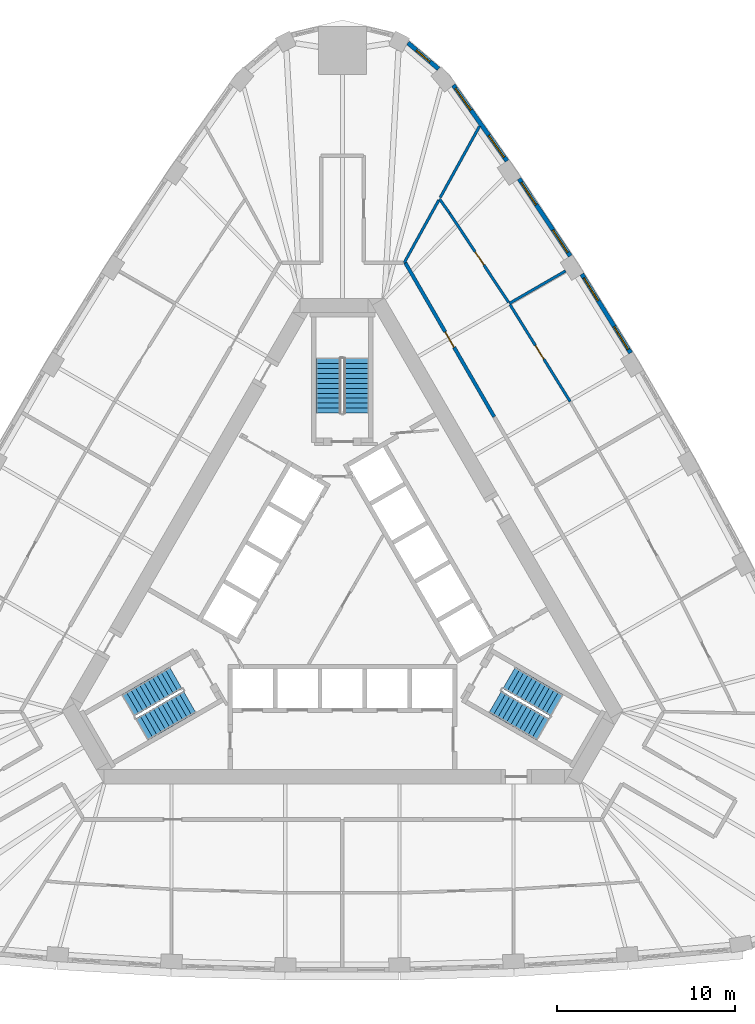
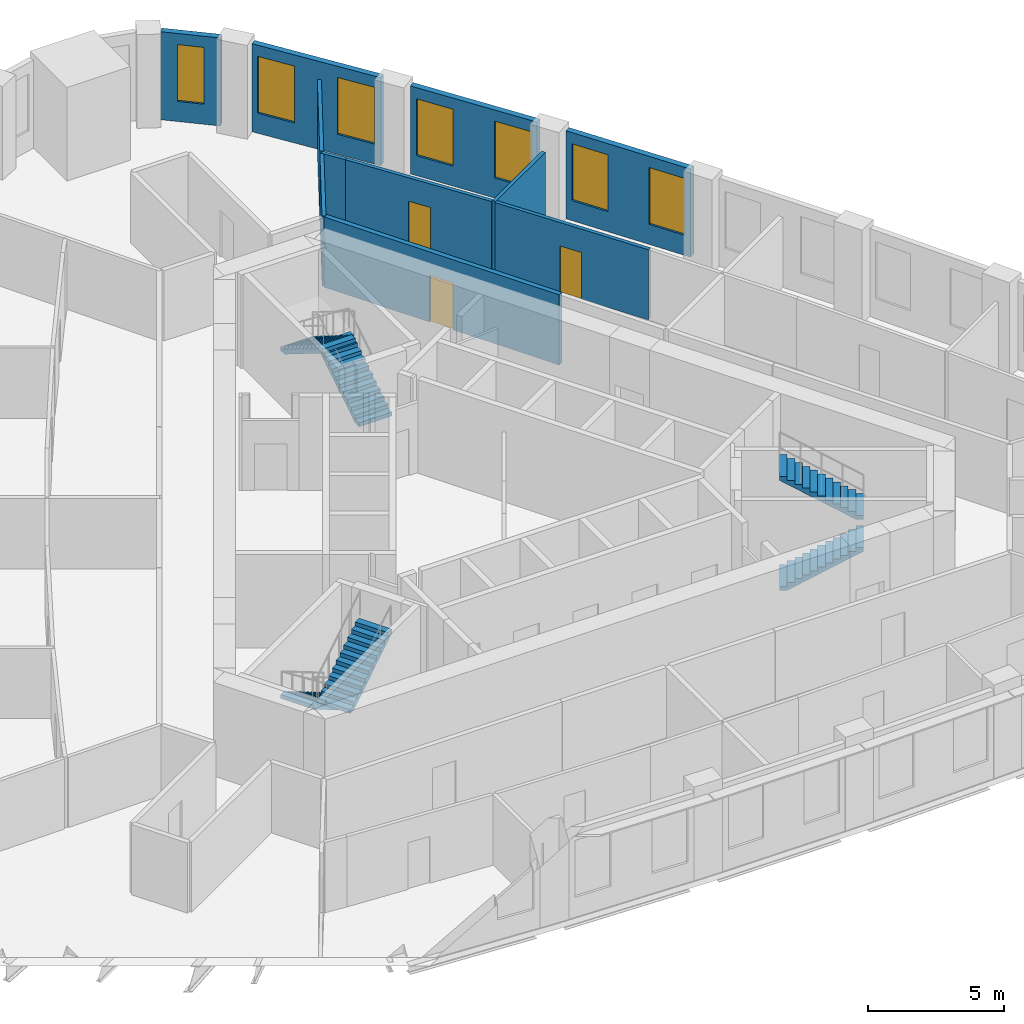
# One storey, part 9 of 10: 11 walls, 7 windows, 6 stair flights, 3 doors, 10 openings, 3 elements without a shape of their own.
"""IFC4 building model written with IfcOpenShell, lengths in metres."""

import ifcopenshell
import ifcopenshell.guid

model = None  # the IFC model being written
_history = None  # IfcOwnerHistory: only IFC2X3 demands one
_inside = {}  # id of a spatial element -> (the spatial element, [elements in it])
_under = {}  # id of a project, library or spatial element -> (it, [spatial elements below it])
_declared = {}  # id of a project -> (the project, [libraries it declares])
_typed = {}  # id of a type object -> (the type object, [elements of that type])
_made_of = {}  # id of a material, layer set ... -> (it, [elements and type objects made of it])


def new_model(schema):
    """Start an empty IFC model of exactly this schema.

    Asked for "IFC4X3", IfcOpenShell would pick the latest addendum, in which some entities
    have other attributes; the version numbers below select the first issue.
    IFC2X3 requires an IfcOwnerHistory on every rooted entity: one is made here for all.
    """
    global model, _history
    if schema == "IFC4X3":
        model = ifcopenshell.file(schema_version=(4, 3, 0, 0))
    else:
        model = ifcopenshell.file(schema=schema)
    _inside.clear()
    _under.clear()
    _declared.clear()
    _typed.clear()
    _made_of.clear()
    _history = None
    if model.schema == "IFC2X3":
        org = make("IfcOrganization", Name="unknown")
        user = make(
            "IfcPersonAndOrganization",
            ThePerson=make("IfcPerson", FamilyName="unknown"),
            TheOrganization=org,
        )
        app = make(
            "IfcApplication",
            ApplicationDeveloper=org,
            Version="unknown",
            ApplicationFullName="unknown",
            ApplicationIdentifier="unknown",
        )
        _history = make(
            "IfcOwnerHistory",
            OwningUser=user,
            OwningApplication=app,
            ChangeAction="ADDED",
            CreationDate=0,
        )
    return model


def make(cls, **values):
    """One entity of the class cls with the attributes given. An attribute that is None is left unset."""
    return model.create_entity(
        cls, **{name: value for name, value in values.items() if value is not None}
    )


def rooted(cls, **values):
    """An entity with a GlobalId (a new one), such as an element, a storey or a relation."""
    return make(cls, GlobalId=ifcopenshell.guid.new(), OwnerHistory=_history, **values)


def si_unit(unit_type, name, prefix=None):
    """IfcSIUnit, for example si_unit("LENGTHUNIT", "METRE", prefix="MILLI")."""
    return make("IfcSIUnit", UnitType=unit_type, Prefix=prefix, Name=name)


def assignment(units):
    """IfcUnitAssignment: the units of a project."""
    return None if units is None else make("IfcUnitAssignment", Units=units)


def point(xyz):
    """IfcCartesianPoint."""
    return None if xyz is None else make("IfcCartesianPoint", Coordinates=xyz)


def direction(xyz):
    """IfcDirection."""
    return None if xyz is None else make("IfcDirection", DirectionRatios=xyz)


def frame(location, z_axis=None, x_axis=None):
    """IfcAxis2Placement3D, a coordinate frame: its origin and axes. An axis left out is left unset."""
    return make(
        "IfcAxis2Placement3D",
        Location=point(location),
        Axis=direction(z_axis),
        RefDirection=direction(x_axis),
    )


def frame_2d(location, x_axis=None):
    """IfcAxis2Placement2D, a coordinate frame in the plane: its origin and x axis."""
    return make(
        "IfcAxis2Placement2D", Location=point(location), RefDirection=direction(x_axis)
    )


def origin():
    """The frame at (0, 0, 0) with its axes left unset."""
    return frame((0.0, 0.0, 0.0))


def place(relative_to, where):
    """IfcLocalPlacement: puts the frame where relative to a parent placement (None: the world)."""
    return make(
        "IfcLocalPlacement", PlacementRelTo=relative_to, RelativePlacement=where
    )


def context(
    kind, dimensions, precision=None, world=None, true_north=None, identifier=None
):
    """IfcGeometricRepresentationContext, for example the 3D "Model" context."""
    return make(
        "IfcGeometricRepresentationContext",
        ContextIdentifier=identifier,
        ContextType=kind,
        CoordinateSpaceDimension=dimensions,
        Precision=precision,
        WorldCoordinateSystem=world,
        TrueNorth=true_north,
    )


def subcontext(parent, identifier, kind, view, scale=None):
    """IfcGeometricRepresentationSubContext, for example "Body" below "Model"."""
    return make(
        "IfcGeometricRepresentationSubContext",
        ContextIdentifier=identifier,
        ContextType=kind,
        ParentContext=parent,
        TargetScale=scale,
        TargetView=view,
    )


def project(units=None, contexts=None):
    """IfcProject with its units and contexts."""
    return rooted(
        "IfcProject",
        Name="project",
        RepresentationContexts=contexts,
        UnitsInContext=assignment(units),
    )


def spatial(cls, under=None, at=None, **own):
    """A site, building, storey or space (cls), placed at a placement, below another one or the project."""
    s = rooted(cls, ObjectPlacement=at, **own)
    if under is not None:
        _under.setdefault(under.id(), (under, []))[1].append(s)
    return s


def polyline(points):
    """IfcPolyline through the points."""
    return make("IfcPolyline", Points=[point(p) for p in points])


def profile(cls, at=None, kind="AREA", **sizes):
    """A parametric profile (cls). Its sizes go by their IFC names, for example OverallWidth=200.0."""
    return make(cls, ProfileType=kind, Position=at, **sizes)


def rectangle(**sizes):
    """IfcRectangleProfileDef."""
    return profile("IfcRectangleProfileDef", **sizes)


def outline(outer, holes=None, kind="AREA"):
    """IfcArbitraryClosedProfileDef: a profile drawn as a closed curve; with holes, ...WithVoids."""
    if holes is None:
        return make("IfcArbitraryClosedProfileDef", ProfileType=kind, OuterCurve=outer)
    return make(
        "IfcArbitraryProfileDefWithVoids",
        ProfileType=kind,
        OuterCurve=outer,
        InnerCurves=holes,
    )


def extrude(swept, where, along, depth):
    """IfcExtrudedAreaSolid: the profile swept, set in the frame where, extruded along a direction by depth."""
    return make(
        "IfcExtrudedAreaSolid",
        SweptArea=swept,
        Position=where,
        ExtrudedDirection=direction(along),
        Depth=depth,
    )


def shape(context_of_items, identifier, shape_type, items):
    """IfcShapeRepresentation: the items that make up one representation, for example the "Body"."""
    return make(
        "IfcShapeRepresentation",
        ContextOfItems=context_of_items,
        RepresentationIdentifier=identifier,
        RepresentationType=shape_type,
        Items=items,
    )


def material(Name=None, Category=None):
    """IfcMaterial."""
    return make("IfcMaterial", Name=Name, Category=Category)


def layer(
    of_material, thickness, ventilated=None, Name=None, Category=None, Priority=None
):
    """IfcMaterialLayer: one layer of a wall or slab, of a material (None: an air gap)."""
    return make(
        "IfcMaterialLayer",
        Material=of_material,
        LayerThickness=thickness,
        IsVentilated=ventilated,
        Name=Name,
        Category=Category,
        Priority=Priority,
    )


def layer_set(layers, Name=None):
    """IfcMaterialLayerSet."""
    return make("IfcMaterialLayerSet", MaterialLayers=layers, LayerSetName=Name)


def made_of(thing, what):
    """Note that an element or type object is made of a material, layer set ...; save() writes the relation."""
    if what is not None:
        _made_of.setdefault(what.id(), (what, []))[1].append(thing)
    return thing


def type_object(cls, material=None, **own):
    """A type object (cls), such as IfcWallType, which elements share."""
    return made_of(rooted(cls, **own), material)


def element(
    cls,
    number,
    at=None,
    inside=None,
    cuts=None,
    type_object=None,
    material=None,
    context=None,
    identifier="Body",
    shape_type=None,
    held_by="IfcProductDefinitionShape",
    body=None,
    shapes=None,
    **own,
):
    """One element of the class cls, such as IfcWall. Its Tag is "e" and its number.

    at: its placement. inside: the storey or other place that contains it. cuts: it is an
    opening in that element (IfcRelVoidsElement). A single representation is given by context,
    identifier, shape_type and body (its items); several are given by shapes. held_by: the class
    of the entity that holds the representations. save() writes the other relations.
    """
    e = rooted(cls, Tag="e%d" % number, ObjectPlacement=at, **own)
    if body is not None:
        shapes = [shape(context, identifier, shape_type, body)]
    if shapes is not None:
        e.Representation = make(held_by, Representations=shapes)
    if inside is not None:
        _inside.setdefault(inside.id(), (inside, []))[1].append(e)
    if cuts is not None:
        rooted(
            "IfcRelVoidsElement", RelatingBuildingElement=cuts, RelatedOpeningElement=e
        )
    if type_object is not None:
        _typed.setdefault(type_object.id(), (type_object, []))[1].append(e)
    return made_of(e, material)


def fill(opening, filler):
    """IfcRelFillsElement: the door or window that sits in an opening."""
    return rooted(
        "IfcRelFillsElement",
        RelatingOpeningElement=opening,
        RelatedBuildingElement=filler,
    )


def aggregate(whole, parts):
    """IfcRelAggregates: a whole, such as a stair, and the parts it consists of."""
    return rooted("IfcRelAggregates", RelatingObject=whole, RelatedObjects=parts)


def save(model, path):
    """Write the relations noted so far, then the file.

    IfcRelAggregates (storeys below a building ...), IfcRelContainedInSpatialStructure (elements
    in a storey), IfcRelDefinesByType, IfcRelAssociatesMaterial and IfcRelDeclares: one each for
    every whole, place, type object, material and project.
    """
    for whole, parts in _under.values():
        aggregate(whole, parts)
    for where, things in _inside.values():
        rooted(
            "IfcRelContainedInSpatialStructure",
            RelatedElements=things,
            RelatingStructure=where,
        )
    for kind, things in _typed.values():
        rooted("IfcRelDefinesByType", RelatedObjects=things, RelatingType=kind)
    for what, things in _made_of.values():
        rooted("IfcRelAssociatesMaterial", RelatedObjects=things, RelatingMaterial=what)
    for by, libraries in _declared.values():
        rooted("IfcRelDeclares", RelatingContext=by, RelatedDefinitions=libraries)
    model.write(path)


model = new_model("IFC4")

# Units and contexts
model_context = context("Model", 3, precision=1e-05, world=origin(), true_north=direction((0.0, 1.0)))
body_context = subcontext(model_context, "Body", "Model", "MODEL_VIEW")
ifc_project = project(units=[si_unit("LENGTHUNIT", "METRE"), si_unit("AREAUNIT", "SQUARE_METRE"), si_unit("VOLUMEUNIT", "CUBIC_METRE"), si_unit("PLANEANGLEUNIT", "RADIAN"), si_unit("MASSUNIT", "GRAM", prefix="KILO")], contexts=[model_context])

# Site, building, storey
site_placement = place(None, origin())
site = spatial("IfcSite", under=ifc_project, at=site_placement, CompositionType="ELEMENT")
building_placement = place(site_placement, origin())
building = spatial("IfcBuilding", under=site, at=building_placement, Name="Mestral Congress Tower", CompositionType="ELEMENT")
storey_placement = place(building_placement, frame((0.0, 0.0, 158.39990234375)))
storey = spatial("IfcBuildingStorey", under=building, at=storey_placement, Name="L37", CompositionType="ELEMENT", Elevation=158.39990234375)

# Wall, openings, windows
ifc_material_1 = material(Name="Precast concrete C40/50 with limestone facing", Category="masonry")
ifc_layer_1 = layer(ifc_material_1, 0.239990234375)
ifc_layer_set_1 = layer_set([ifc_layer_1], Name="Precast concrete C40/50 with limestone facing")
wall_type_1 = type_object("IfcWallType", Name="Facade stone wall 240", PredefinedType="SOLIDWALL", material=ifc_layer_set_1)
wall_1_placement = place(storey_placement, frame((16.170654296875, 13.731201171875, 0.0), z_axis=(0.0, 0.0, 1.0), x_axis=(-0.526197926587, 0.850362124072, 0.0)))
wall_1 = element("IfcWall", 1, at=wall_1_placement, inside=storey, type_object=wall_type_1, Name="Facade wall F1-04", PredefinedType="SOLIDWALL", context=body_context, shape_type="SweptSolid", body=[
    extrude(rectangle(XDim=5.203369140625, YDim=0.239990234375, at=frame_2d((2.6015625, 0.0))), origin(), (0.0, 0.0, 1.0), 3.9501953125),
])
opening_1_placement = place(wall_1_placement, frame((0.248291015625, 0.0, 0.89990234375)))
opening_1 = element("IfcOpeningElement", 2, at=opening_1_placement, cuts=wall_1, Name="Opening W4", PredefinedType="OPENING", context=body_context, shape_type="SweptSolid", body=[
    extrude(rectangle(XDim=1.5, YDim=2.550048828125, at=frame_2d((0.75, 1.27490234375))), frame((0.0, 0.1298828125, 0.0), z_axis=(0.0, -1.0, 0.0), x_axis=(1.0, 0.0, 0.0)), (0.0, 0.0, 1.0), 0.260009765625),
])
opening_2_placement = place(wall_1_placement, frame((3.455078125, 0.0, 0.89990234375)))
opening_2 = element("IfcOpeningElement", 3, at=opening_2_placement, cuts=wall_1, Name="Opening W4", PredefinedType="OPENING", context=body_context, shape_type="SweptSolid", body=[
    extrude(rectangle(XDim=1.5, YDim=2.550048828125, at=frame_2d((0.75, 1.27490234375))), frame((0.0, 0.1298828125, 0.0), z_axis=(0.0, -1.0, 0.0), x_axis=(1.0, 0.0, 0.0)), (0.0, 0.0, 1.0), 0.260009765625),
])
ifc_material_2 = material(Name="Clear low-emissivity double glazing", Category="glass")
window_type_1 = type_object("IfcWindowType", Name="Facade punched window 1500 x 2550 sill 900", PartitioningType="SINGLE_PANEL", PredefinedType="WINDOW", material=ifc_material_2)
window_1_placement = place(opening_1_placement, origin())
window_1 = element("IfcWindow", 4, at=window_1_placement, inside=storey, type_object=window_type_1, Name="Window F1-04a", OverallHeight=2.550048828125, OverallWidth=1.5, PartitioningType="SINGLE_PANEL", PredefinedType="WINDOW", context=body_context, shape_type="SweptSolid", body=[
    extrude(rectangle(XDim=1.5, YDim=2.550048828125, at=frame_2d((0.75, 1.27490234375))), frame((0.0, 0.0400390625, 0.0), z_axis=(0.0, -1.0, 0.0), x_axis=(1.0, 0.0, 0.0)), (0.0, 0.0, 1.0), 0.06005859375),
])
fill(opening_1, window_1)
window_2_placement = place(opening_2_placement, origin())
window_2 = element("IfcWindow", 5, at=window_2_placement, inside=storey, type_object=window_type_1, Name="Window F1-04b", OverallHeight=2.550048828125, OverallWidth=1.5, PartitioningType="SINGLE_PANEL", PredefinedType="WINDOW", context=body_context, shape_type="SweptSolid", body=[
    extrude(rectangle(XDim=1.5, YDim=2.550048828125, at=frame_2d((0.75, 1.27490234375))), frame((0.0, 0.0400390625, 0.0), z_axis=(0.0, -1.0, 0.0), x_axis=(1.0, 0.0, 0.0)), (0.0, 0.0, 1.0), 0.06005859375),
])
fill(opening_2, window_2)

wall_2_placement = place(storey_placement, frame((12.783203125, 19.170654296875, 0.0), z_axis=(0.0, 0.0, 1.0), x_axis=(-0.551892811511, 0.833915058386, 0.0)))
wall_2 = element("IfcWall", 6, at=wall_2_placement, inside=storey, type_object=wall_type_1, Name="Facade wall F1-05", PredefinedType="SOLIDWALL", context=body_context, shape_type="SweptSolid", body=[
    extrude(rectangle(XDim=5.20361328125, YDim=0.239990234375, at=frame_2d((2.601806640625, 0.0))), origin(), (0.0, 0.0, 1.0), 3.9501953125),
])
opening_3_placement = place(wall_2_placement, frame((0.248291015625, 0.0, 0.89990234375)))
opening_3 = element("IfcOpeningElement", 7, at=opening_3_placement, cuts=wall_2, Name="Opening W4", PredefinedType="OPENING", context=body_context, shape_type="SweptSolid", body=[
    extrude(rectangle(XDim=1.5, YDim=2.550048828125, at=frame_2d((0.75, 1.27490234375))), frame((0.0, 0.1298828125, 0.0), z_axis=(0.0, -1.0, 0.0), x_axis=(1.0, 0.0, 0.0)), (0.0, 0.0, 1.0), 0.260009765625),
])
opening_4_placement = place(wall_2_placement, frame((3.455078125, 0.0, 0.89990234375)))
opening_4 = element("IfcOpeningElement", 8, at=opening_4_placement, cuts=wall_2, Name="Opening W4", PredefinedType="OPENING", context=body_context, shape_type="SweptSolid", body=[
    extrude(rectangle(XDim=1.5, YDim=2.550048828125, at=frame_2d((0.75, 1.27490234375))), frame((0.0, 0.1298828125, 0.0), z_axis=(0.0, -1.0, 0.0), x_axis=(1.0, 0.0, 0.0)), (0.0, 0.0, 1.0), 0.260009765625),
])
window_3_placement = place(opening_3_placement, origin())
window_3 = element("IfcWindow", 9, at=window_3_placement, inside=storey, type_object=window_type_1, Name="Window F1-05a", OverallHeight=2.550048828125, OverallWidth=1.5, PartitioningType="SINGLE_PANEL", PredefinedType="WINDOW", context=body_context, shape_type="SweptSolid", body=[
    extrude(rectangle(XDim=1.5, YDim=2.550048828125, at=frame_2d((0.75, 1.27490234375))), frame((0.0, 0.0400390625, 0.0), z_axis=(0.0, -1.0, 0.0), x_axis=(1.0, 0.0, 0.0)), (0.0, 0.0, 1.0), 0.06005859375),
])
fill(opening_3, window_3)
window_4_placement = place(opening_4_placement, origin())
window_4 = element("IfcWindow", 10, at=window_4_placement, inside=storey, type_object=window_type_1, Name="Window F1-05b", OverallHeight=2.550048828125, OverallWidth=1.5, PartitioningType="SINGLE_PANEL", PredefinedType="WINDOW", context=body_context, shape_type="SweptSolid", body=[
    extrude(rectangle(XDim=1.5, YDim=2.550048828125, at=frame_2d((0.75, 1.27490234375))), frame((0.0, 0.0400390625, 0.0), z_axis=(0.0, -1.0, 0.0), x_axis=(1.0, 0.0, 0.0)), (0.0, 0.0, 1.0), 0.06005859375),
])
fill(opening_4, window_4)

wall_3_placement = place(storey_placement, frame((9.231201171875, 24.50439453125, 0.0), z_axis=(0.0, 0.0, 1.0), x_axis=(-0.577115207679, 0.816662743772, 0.0)))
wall_3 = element("IfcWall", 11, at=wall_3_placement, inside=storey, type_object=wall_type_1, Name="Facade wall F1-06", PredefinedType="SOLIDWALL", context=body_context, shape_type="SweptSolid", body=[
    extrude(rectangle(XDim=5.213134765625, YDim=0.239990234375, at=frame_2d((2.6064453125, 0.0))), origin(), (0.0, 0.0, 1.0), 3.9501953125),
])
opening_5_placement = place(wall_3_placement, frame((0.2607421875, 0.0, 0.89990234375)))
opening_5 = element("IfcOpeningElement", 12, at=opening_5_placement, cuts=wall_3, Name="Opening W4", PredefinedType="OPENING", context=body_context, shape_type="SweptSolid", body=[
    extrude(rectangle(XDim=1.5, YDim=2.550048828125, at=frame_2d((0.75, 1.27490234375))), frame((0.0, 0.1298828125, 0.0), z_axis=(0.0, -1.0, 0.0), x_axis=(1.0, 0.0, 0.0)), (0.0, 0.0, 1.0), 0.260009765625),
])
opening_6_placement = place(wall_3_placement, frame((3.492431640625, 0.0, 0.89990234375)))
opening_6 = element("IfcOpeningElement", 13, at=opening_6_placement, cuts=wall_3, Name="Opening W4", PredefinedType="OPENING", context=body_context, shape_type="SweptSolid", body=[
    extrude(rectangle(XDim=1.5, YDim=2.550048828125, at=frame_2d((0.75, 1.27490234375))), frame((0.0, 0.1298828125, 0.0), z_axis=(0.0, -1.0, 0.0), x_axis=(1.0, 0.0, 0.0)), (0.0, 0.0, 1.0), 0.260009765625),
])
window_5_placement = place(opening_5_placement, origin())
window_5 = element("IfcWindow", 14, at=window_5_placement, inside=storey, type_object=window_type_1, Name="Window F1-06a", OverallHeight=2.550048828125, OverallWidth=1.5, PartitioningType="SINGLE_PANEL", PredefinedType="WINDOW", context=body_context, shape_type="SweptSolid", body=[
    extrude(rectangle(XDim=1.5, YDim=2.550048828125, at=frame_2d((0.75, 1.27490234375))), frame((0.0, 0.0400390625, 0.0), z_axis=(0.0, -1.0, 0.0), x_axis=(1.0, 0.0, 0.0)), (0.0, 0.0, 1.0), 0.06005859375),
])
fill(opening_5, window_5)
window_6_placement = place(opening_6_placement, origin())
window_6 = element("IfcWindow", 15, at=window_6_placement, inside=storey, type_object=window_type_1, Name="Window F1-06b", OverallHeight=2.550048828125, OverallWidth=1.5, PartitioningType="SINGLE_PANEL", PredefinedType="WINDOW", context=body_context, shape_type="SweptSolid", body=[
    extrude(rectangle(XDim=1.5, YDim=2.550048828125, at=frame_2d((0.75, 1.27490234375))), frame((0.0, 0.0400390625, 0.0), z_axis=(0.0, -1.0, 0.0), x_axis=(1.0, 0.0, 0.0)), (0.0, 0.0, 1.0), 0.06005859375),
])
fill(opening_6, window_6)

# Wall, opening, window
wall_4_placement = place(storey_placement, frame((5.3916015625, 29.672119140625, 0.0), z_axis=(0.0, 0.0, 1.0), x_axis=(-0.761419744247, 0.648259186645, 0.0)))
wall_4 = element("IfcWall", 16, at=wall_4_placement, inside=storey, type_object=wall_type_1, Name="Facade wall K1-0", PredefinedType="SOLIDWALL", context=body_context, shape_type="SweptSolid", body=[
    extrude(rectangle(XDim=2.250244140625, YDim=0.239990234375, at=frame_2d((1.125, 0.0))), origin(), (0.0, 0.0, 1.0), 3.9501953125),
])
opening_7_placement = place(wall_4_placement, frame((0.625244140625, 0.0, 0.89990234375)))
opening_7 = element("IfcOpeningElement", 17, at=opening_7_placement, cuts=wall_4, Name="Opening W5", PredefinedType="OPENING", context=body_context, shape_type="SweptSolid", body=[
    extrude(rectangle(XDim=1.0, YDim=2.550048828125, at=frame_2d((0.5, 1.27490234375))), frame((0.0, 0.1298828125, 0.0), z_axis=(0.0, -1.0, 0.0), x_axis=(1.0, 0.0, 0.0)), (0.0, 0.0, 1.0), 0.260009765625),
])
window_type_2 = type_object("IfcWindowType", Name="Facade punched window 1000 x 2550 sill 900", PartitioningType="SINGLE_PANEL", PredefinedType="WINDOW", material=ifc_material_2)
window_7_placement = place(opening_7_placement, origin())
window_7 = element("IfcWindow", 18, at=window_7_placement, inside=storey, type_object=window_type_2, Name="Window K1-0", OverallHeight=2.550048828125, OverallWidth=1.0, PartitioningType="SINGLE_PANEL", PredefinedType="WINDOW", context=body_context, shape_type="SweptSolid", body=[
    extrude(rectangle(XDim=1.0, YDim=2.550048828125, at=frame_2d((0.5, 1.27490234375))), frame((0.0, 0.0400390625, 0.0), z_axis=(0.0, -1.0, 0.0), x_axis=(1.0, 0.0, 0.0)), (0.0, 0.0, 1.0), 0.06005859375),
])
fill(opening_7, window_7)

# Wall
ifc_material_3 = material(Name="Plasterboard partition on steel studs", Category="steel")
ifc_layer_2 = layer(ifc_material_3, 0.14990234375)
ifc_layer_set_2 = layer_set([ifc_layer_2], Name="Plasterboard partition on steel studs")
wall_type_2 = type_object("IfcWallType", Name="Office partition 150", PredefinedType="PARTITIONING", material=ifc_layer_set_2)
wall_5_placement = place(storey_placement, frame((9.363037109375, 16.5107421875, 0.0), z_axis=(0.0, 0.0, 1.0), x_axis=(0.866006134298, 0.500033374244, 0.0)))
element("IfcWall", 19, at=wall_5_placement, inside=storey, type_object=wall_type_2, Name="Partition", PredefinedType="PARTITIONING", context=body_context, shape_type="SweptSolid", body=[
    extrude(rectangle(XDim=3.647705078125, YDim=0.14990234375, at=frame_2d((1.82373046875, 0.0))), origin(), (0.0, 0.0, 1.0), 3.150146484375),
])

# Wall, opening, door
wall_6_placement = place(storey_placement, frame((9.402587890625, 16.447021484375, 0.0), z_axis=(0.0, 0.0, 1.0), x_axis=(0.527026092571, -0.849849102929, 0.0)))
wall_6 = element("IfcWall", 20, at=wall_6_placement, inside=storey, type_object=wall_type_2, Name="Partition", PredefinedType="PARTITIONING", context=body_context, shape_type="SweptSolid", body=[
    extrude(rectangle(XDim=6.406982421875, YDim=0.14990234375, at=frame_2d((3.20361328125, 0.0))), origin(), (0.0, 0.0, 1.0), 3.150146484375),
])
opening_8_placement = place(wall_6_placement, frame((2.707275390625, 0.0, 0.0)))
opening_8 = element("IfcOpeningElement", 21, at=opening_8_placement, cuts=wall_6, Name="Opening O02-008", PredefinedType="OPENING", context=body_context, shape_type="SweptSolid", body=[
    extrude(rectangle(XDim=0.89990234375, YDim=2.10009765625, at=frame_2d((0.449951171875, 1.050048828125))), frame((0.0, 0.0849609375, 0.0), z_axis=(0.0, -1.0, 0.0), x_axis=(1.0, 0.0, 0.0)), (0.0, 0.0, 1.0), 0.169921875),
])
ifc_material_4 = material(Name="Timber door set", Category="wood")
door_type_1 = type_object("IfcDoorType", Name="Office door 900x2100", OperationType="SINGLE_SWING_LEFT", PredefinedType="DOOR", material=ifc_material_4)
door_1_placement = place(opening_8_placement, origin())
door_1 = element("IfcDoor", 22, at=door_1_placement, inside=storey, type_object=door_type_1, Name="Door O02-008", OperationType="SINGLE_SWING_LEFT", OverallHeight=2.10009765625, OverallWidth=0.89990234375, PredefinedType="DOOR", context=body_context, shape_type="SweptSolid", body=[
    extrude(rectangle(XDim=0.89990234375, YDim=2.10009765625, at=frame_2d((0.449951171875, 1.050048828125))), frame((0.0, 0.02490234375, 0.0), z_axis=(0.0, -1.0, 0.0), x_axis=(1.0, 0.0, 0.0)), (0.0, 0.0, 1.0), 0.050048828125),
])
fill(opening_8, door_1)

wall_7_placement = place(storey_placement, frame((6.0126953125, 21.572998046875, 0.0), z_axis=(0.0, 0.0, 1.0), x_axis=(0.551906048292, -0.833906298009, 0.0)))
wall_7 = element("IfcWall", 23, at=wall_7_placement, inside=storey, type_object=wall_type_2, Name="Partition", PredefinedType="PARTITIONING", context=body_context, shape_type="SweptSolid", body=[
    extrude(rectangle(XDim=5.995361328125, YDim=0.14990234375, at=frame_2d((2.99755859375, 0.0))), origin(), (0.0, 0.0, 1.0), 3.150146484375),
])
opening_9_placement = place(wall_7_placement, frame((2.595458984375, 0.0, 0.0)))
opening_9 = element("IfcOpeningElement", 24, at=opening_9_placement, cuts=wall_7, Name="Opening O02-009", PredefinedType="OPENING", context=body_context, shape_type="SweptSolid", body=[
    extrude(rectangle(XDim=0.89990234375, YDim=2.10009765625, at=frame_2d((0.449951171875, 1.050048828125))), frame((0.0, 0.0849609375, 0.0), z_axis=(0.0, -1.0, 0.0), x_axis=(1.0, 0.0, 0.0)), (0.0, 0.0, 1.0), 0.169921875),
])
door_2_placement = place(opening_9_placement, origin())
door_2 = element("IfcDoor", 25, at=door_2_placement, inside=storey, type_object=door_type_1, Name="Door O02-009", OperationType="SINGLE_SWING_RIGHT", OverallHeight=2.10009765625, OverallWidth=0.89990234375, PredefinedType="DOOR", context=body_context, shape_type="SweptSolid", body=[
    extrude(rectangle(XDim=0.89990234375, YDim=2.10009765625, at=frame_2d((0.449951171875, 1.050048828125))), frame((0.0, 0.02490234375, 0.0), z_axis=(0.0, -1.0, 0.0), x_axis=(1.0, 0.0, 0.0)), (0.0, 0.0, 1.0), 0.050048828125),
])
fill(opening_9, door_2)

# Walls
wall_8_placement = place(storey_placement, frame((6.0126953125, 21.572998046875, 0.0), z_axis=(0.0, 0.0, 1.0), x_axis=(-0.576965221715, 0.816768714467, 0.0)))
element("IfcWall", 26, at=wall_8_placement, inside=storey, type_object=wall_type_2, Name="Partition", PredefinedType="PARTITIONING", context=body_context, shape_type="SweptSolid", body=[
    extrude(rectangle(XDim=0.985595703125, YDim=0.14990234375, at=frame_2d((0.49267578125, 0.0))), origin(), (0.0, 0.0, 1.0), 3.150146484375),
])
wall_9_placement = place(storey_placement, frame((5.484130859375, 22.450927734375, 0.0), z_axis=(0.0, 0.0, 1.0), x_axis=(0.483018213307, 0.875610304652, 0.0)))
element("IfcWall", 27, at=wall_9_placement, inside=storey, type_object=wall_type_2, Name="Partition", PredefinedType="PARTITIONING", context=body_context, shape_type="SweptSolid", body=[
    extrude(rectangle(XDim=4.58447265625, YDim=0.14990234375, at=frame_2d((2.292236328125, 0.0))), origin(), (0.0, 0.0, 1.0), 3.150146484375),
])
wall_10_placement = place(storey_placement, frame((3.470458984375, 18.800048828125, 0.0), z_axis=(0.0, 0.0, 1.0), x_axis=(0.483004783308, 0.87561771299, 0.0)))
element("IfcWall", 28, at=wall_10_placement, inside=storey, type_object=wall_type_2, Name="Partition", PredefinedType="PARTITIONING", context=body_context, shape_type="SweptSolid", body=[
    extrude(rectangle(XDim=4.002685546875, YDim=0.14990234375, at=frame_2d((2.00146484375, 0.0))), origin(), (0.0, 0.0, 1.0), 3.150146484375),
])

# Wall, opening, door
ifc_material_5 = material(Name="Dense masonry wall, plastered", Category="masonry")
ifc_layer_3 = layer(ifc_material_5, 0.199951171875)
ifc_layer_set_3 = layer_set([ifc_layer_3], Name="Dense masonry wall, plastered")
wall_type_3 = type_object("IfcWallType", Name="Office tenancy wall 200", PredefinedType="PARTITIONING", material=ifc_layer_set_3)
wall_11_placement = place(storey_placement, frame((8.514892578125, 10.151611328125, 0.0), z_axis=(0.0, 0.0, 1.0), x_axis=(-0.499998974385, 0.866025995923, 0.0)))
wall_11 = element("IfcWall", 29, at=wall_11_placement, inside=storey, type_object=wall_type_3, Name="Tenancy wall", PredefinedType="PARTITIONING", context=body_context, shape_type="SweptSolid", body=[
    extrude(rectangle(XDim=9.986328125, YDim=0.199951171875, at=frame_2d((4.9931640625, 0.0))), origin(), (0.0, 0.0, 1.0), 3.150146484375),
])
opening_10_placement = place(wall_11_placement, frame((4.5, 0.0, 0.0)))
opening_10 = element("IfcOpeningElement", 30, at=opening_10_placement, cuts=wall_11, Name="Opening O02-010", PredefinedType="OPENING", context=body_context, shape_type="SweptSolid", body=[
    extrude(rectangle(XDim=1.0, YDim=2.10009765625, at=frame_2d((0.5, 1.050048828125))), frame((0.0, 0.10986328125, 0.0), z_axis=(0.0, -1.0, 0.0), x_axis=(1.0, 0.0, 0.0)), (0.0, 0.0, 1.0), 0.219970703125),
])
ifc_material_6 = material(Name="Fire-rated timber door set", Category="wood")
door_type_2 = type_object("IfcDoorType", Name="Office tenancy entrance door 1000x2100", OperationType="SINGLE_SWING_LEFT", PredefinedType="DOOR", material=ifc_material_6)
door_3_placement = place(opening_10_placement, origin())
door_3 = element("IfcDoor", 31, at=door_3_placement, inside=storey, type_object=door_type_2, Name="Door O02-010", OperationType="SINGLE_SWING_RIGHT", OverallHeight=2.10009765625, OverallWidth=1.0, PredefinedType="DOOR", context=body_context, shape_type="SweptSolid", body=[
    extrude(rectangle(XDim=1.0, YDim=2.10009765625, at=frame_2d((0.5, 1.050048828125))), frame((0.0, 0.02490234375, 0.0), z_axis=(0.0, -1.0, 0.0), x_axis=(1.0, 0.0, 0.0)), (0.0, 0.0, 1.0), 0.050048828125),
])
fill(opening_10, door_3)

# Stair, stair flights
ifc_material_7 = material(Name="Concrete C60/75", Category="concrete")
stair_type = type_object("IfcStairType", Name="Exit stair 1400", PredefinedType="HALF_TURN_STAIR", material=ifc_material_7)
placement = place(storey_placement, origin())
stair_1 = element("IfcStair", 32, at=placement, inside=storey, type_object=stair_type, Name="L37 ST1", PredefinedType="HALF_TURN_STAIR")
stair_flight_type = type_object("IfcStairFlightType", Name="Exit stair flight 1400", PredefinedType="STRAIGHT", material=ifc_material_7)
stair_flight_1_placement = place(storey_placement, frame((8.575927734375, -5.84619140625, 0.0), z_axis=(0.0, 0.0, 1.0), x_axis=(0.866025403784, -0.5, 0.0)))
stair_flight_1 = element("IfcStairFlight", 33, at=stair_flight_1_placement, type_object=stair_flight_type, Name="ST1 flight 1", NumberOfRisers=12, NumberOfTreads=11, PredefinedType="STRAIGHT", RiserHeight=0.175, TreadLength=0.28, context=body_context, shape_type="SweptSolid", body=[
    extrude(outline(polyline([(0.0, 0.0), (0.0, 0.175048828125), (0.280029296875, 0.175048828125), (0.280029296875, 0.35009765625), (0.56005859375, 0.35009765625), (0.56005859375, 0.52490234375), (0.840087890625, 0.52490234375), (0.840087890625, 0.699951171875), (1.1201171875, 0.699951171875), (1.1201171875, 0.875), (1.39990234375, 0.875), (1.39990234375, 1.050048828125), (1.679931640625, 1.050048828125), (1.679931640625, 1.22509765625), (1.9599609375, 1.22509765625), (1.9599609375, 1.39990234375), (2.239990234375, 1.39990234375), (2.239990234375, 1.574951171875), (2.52001953125, 1.574951171875), (2.52001953125, 1.75), (2.800048828125, 1.75), (2.800048828125, 1.925048828125), (3.080078125, 1.925048828125), (3.080078125, 2.10009765625), (3.080078125, 1.748291015625), (0.28271484375, 0.0), (0.0, 0.0)])), frame((0.0, 0.699951171875, 0.0), z_axis=(0.0, -1.0, 0.0), x_axis=(1.0, 0.0, 0.0)), (0.0, 0.0, 1.0), 1.39990234375),
])
stair_flight_2_placement = place(storey_placement, frame((12.018310546875, -6.0439453125, 2.10009765625), z_axis=(0.0, 0.0, 1.0), x_axis=(-0.866025403784, 0.5, 0.0)))
stair_flight_2 = element("IfcStairFlight", 34, at=stair_flight_2_placement, type_object=stair_flight_type, Name="ST1 flight 2", NumberOfRisers=12, NumberOfTreads=11, PredefinedType="STRAIGHT", RiserHeight=0.175, TreadLength=0.28, context=body_context, shape_type="SweptSolid", body=[
    extrude(outline(polyline([(0.0, 0.0), (0.0, 0.175048828125), (0.280029296875, 0.175048828125), (0.280029296875, 0.35009765625), (0.56005859375, 0.35009765625), (0.56005859375, 0.52490234375), (0.840087890625, 0.52490234375), (0.840087890625, 0.699951171875), (1.1201171875, 0.699951171875), (1.1201171875, 0.875), (1.39990234375, 0.875), (1.39990234375, 1.050048828125), (1.679931640625, 1.050048828125), (1.679931640625, 1.22509765625), (1.9599609375, 1.22509765625), (1.9599609375, 1.39990234375), (2.239990234375, 1.39990234375), (2.239990234375, 1.574951171875), (2.52001953125, 1.574951171875), (2.52001953125, 1.75), (2.800048828125, 1.75), (2.800048828125, 1.925048828125), (3.080078125, 1.925048828125), (3.080078125, 2.10009765625), (3.080078125, 1.748291015625), (0.28271484375, 0.0), (0.0, 0.0)])), frame((0.0, 0.699951171875, 0.0), z_axis=(0.0, -1.0, 0.0), x_axis=(1.0, 0.0, 0.0)), (0.0, 0.0, 1.0), 1.39990234375),
])
aggregate(stair_1, [stair_flight_1, stair_flight_2])

stair_2 = element("IfcStair", 35, at=placement, inside=storey, type_object=stair_type, Name="L37 ST2", PredefinedType="HALF_TURN_STAIR")
stair_flight_3_placement = place(storey_placement, frame((0.77490234375, 10.35009765625, 0.0), z_axis=(0.0, 0.0, 1.0), x_axis=(0.0, 1.0, 0.0)))
stair_flight_3 = element("IfcStairFlight", 36, at=stair_flight_3_placement, type_object=stair_flight_type, Name="ST2 flight 1", NumberOfRisers=12, NumberOfTreads=11, PredefinedType="STRAIGHT", RiserHeight=0.175, TreadLength=0.28, context=body_context, shape_type="SweptSolid", body=[
    extrude(outline(polyline([(0.0, 0.0), (0.0, 0.175048828125), (0.280029296875, 0.175048828125), (0.280029296875, 0.35009765625), (0.56005859375, 0.35009765625), (0.56005859375, 0.52490234375), (0.840087890625, 0.52490234375), (0.840087890625, 0.699951171875), (1.1201171875, 0.699951171875), (1.1201171875, 0.875), (1.39990234375, 0.875), (1.39990234375, 1.050048828125), (1.679931640625, 1.050048828125), (1.679931640625, 1.22509765625), (1.9599609375, 1.22509765625), (1.9599609375, 1.39990234375), (2.239990234375, 1.39990234375), (2.239990234375, 1.574951171875), (2.52001953125, 1.574951171875), (2.52001953125, 1.75), (2.800048828125, 1.75), (2.800048828125, 1.925048828125), (3.080078125, 1.925048828125), (3.080078125, 2.10009765625), (3.080078125, 1.748291015625), (0.28271484375, 0.0), (0.0, 0.0)])), frame((0.0, 0.699951171875, 0.0), z_axis=(0.0, -1.0, 0.0), x_axis=(1.0, 0.0, 0.0)), (0.0, 0.0, 1.0), 1.39990234375),
])
stair_flight_4_placement = place(storey_placement, frame((-0.77490234375, 13.429931640625, 2.10009765625), z_axis=(0.0, 0.0, 1.0), x_axis=(0.0, -1.0, 0.0)))
stair_flight_4 = element("IfcStairFlight", 37, at=stair_flight_4_placement, type_object=stair_flight_type, Name="ST2 flight 2", NumberOfRisers=12, NumberOfTreads=11, PredefinedType="STRAIGHT", RiserHeight=0.175, TreadLength=0.28, context=body_context, shape_type="SweptSolid", body=[
    extrude(outline(polyline([(0.0, 0.0), (0.0, 0.175048828125), (0.280029296875, 0.175048828125), (0.280029296875, 0.35009765625), (0.56005859375, 0.35009765625), (0.56005859375, 0.52490234375), (0.840087890625, 0.52490234375), (0.840087890625, 0.699951171875), (1.1201171875, 0.699951171875), (1.1201171875, 0.875), (1.39990234375, 0.875), (1.39990234375, 1.050048828125), (1.679931640625, 1.050048828125), (1.679931640625, 1.22509765625), (1.9599609375, 1.22509765625), (1.9599609375, 1.39990234375), (2.239990234375, 1.39990234375), (2.239990234375, 1.574951171875), (2.52001953125, 1.574951171875), (2.52001953125, 1.75), (2.800048828125, 1.75), (2.800048828125, 1.925048828125), (3.080078125, 1.925048828125), (3.080078125, 2.10009765625), (3.080078125, 1.748291015625), (0.28271484375, 0.0), (0.0, 0.0)])), frame((0.0, 0.699951171875, 0.0), z_axis=(0.0, -1.0, 0.0), x_axis=(1.0, 0.0, 0.0)), (0.0, 0.0, 1.0), 1.39990234375),
])
aggregate(stair_2, [stair_flight_3, stair_flight_4])

stair_3 = element("IfcStair", 38, at=placement, inside=storey, type_object=stair_type, Name="L37 ST3", PredefinedType="HALF_TURN_STAIR")
stair_flight_5_placement = place(storey_placement, frame((-9.350830078125, -4.50390625, 0.0), z_axis=(0.0, 0.0, 1.0), x_axis=(-0.866025403784, -0.5, 0.0)))
stair_flight_5 = element("IfcStairFlight", 39, at=stair_flight_5_placement, type_object=stair_flight_type, Name="ST3 flight 1", NumberOfRisers=12, NumberOfTreads=11, PredefinedType="STRAIGHT", RiserHeight=0.175, TreadLength=0.28, context=body_context, shape_type="SweptSolid", body=[
    extrude(outline(polyline([(0.0, 0.0), (0.0, 0.175048828125), (0.280029296875, 0.175048828125), (0.280029296875, 0.35009765625), (0.56005859375, 0.35009765625), (0.56005859375, 0.52490234375), (0.840087890625, 0.52490234375), (0.840087890625, 0.699951171875), (1.1201171875, 0.699951171875), (1.1201171875, 0.875), (1.39990234375, 0.875), (1.39990234375, 1.050048828125), (1.679931640625, 1.050048828125), (1.679931640625, 1.22509765625), (1.9599609375, 1.22509765625), (1.9599609375, 1.39990234375), (2.239990234375, 1.39990234375), (2.239990234375, 1.574951171875), (2.52001953125, 1.574951171875), (2.52001953125, 1.75), (2.800048828125, 1.75), (2.800048828125, 1.925048828125), (3.080078125, 1.925048828125), (3.080078125, 2.10009765625), (3.080078125, 1.748291015625), (0.28271484375, 0.0), (0.0, 0.0)])), frame((0.0, 0.699951171875, 0.0), z_axis=(0.0, -1.0, 0.0), x_axis=(1.0, 0.0, 0.0)), (0.0, 0.0, 1.0), 1.39990234375),
])
stair_flight_6_placement = place(storey_placement, frame((-11.2431640625, -7.38623046875, 2.10009765625), z_axis=(0.0, 0.0, 1.0), x_axis=(0.866025403784, 0.5, 0.0)))
stair_flight_6 = element("IfcStairFlight", 40, at=stair_flight_6_placement, type_object=stair_flight_type, Name="ST3 flight 2", NumberOfRisers=12, NumberOfTreads=11, PredefinedType="STRAIGHT", RiserHeight=0.175, TreadLength=0.28, context=body_context, shape_type="SweptSolid", body=[
    extrude(outline(polyline([(0.0, 0.0), (0.0, 0.175048828125), (0.280029296875, 0.175048828125), (0.280029296875, 0.35009765625), (0.56005859375, 0.35009765625), (0.56005859375, 0.52490234375), (0.840087890625, 0.52490234375), (0.840087890625, 0.699951171875), (1.1201171875, 0.699951171875), (1.1201171875, 0.875), (1.39990234375, 0.875), (1.39990234375, 1.050048828125), (1.679931640625, 1.050048828125), (1.679931640625, 1.22509765625), (1.9599609375, 1.22509765625), (1.9599609375, 1.39990234375), (2.239990234375, 1.39990234375), (2.239990234375, 1.574951171875), (2.52001953125, 1.574951171875), (2.52001953125, 1.75), (2.800048828125, 1.75), (2.800048828125, 1.925048828125), (3.080078125, 1.925048828125), (3.080078125, 2.10009765625), (3.080078125, 1.748291015625), (0.28271484375, 0.0), (0.0, 0.0)])), frame((0.0, 0.699951171875, 0.0), z_axis=(0.0, -1.0, 0.0), x_axis=(1.0, 0.0, 0.0)), (0.0, 0.0, 1.0), 1.39990234375),
])
aggregate(stair_3, [stair_flight_5, stair_flight_6])

save(model, "model.ifc")
